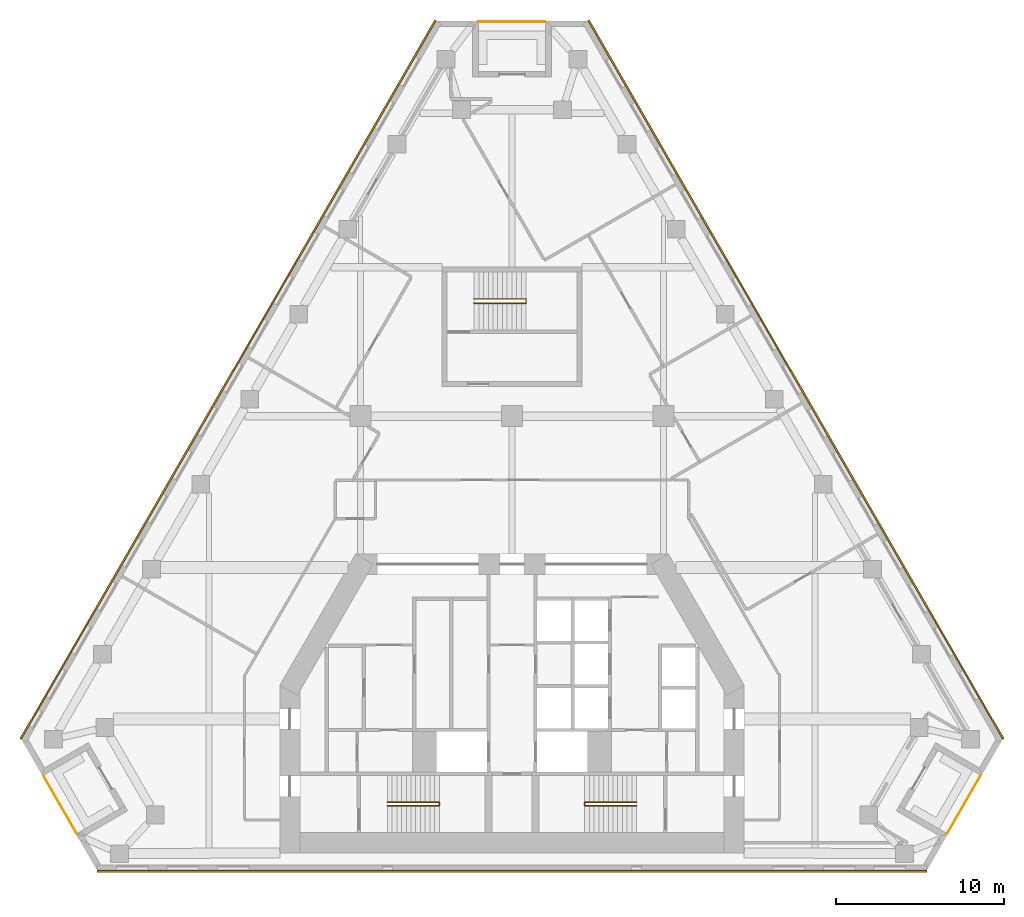
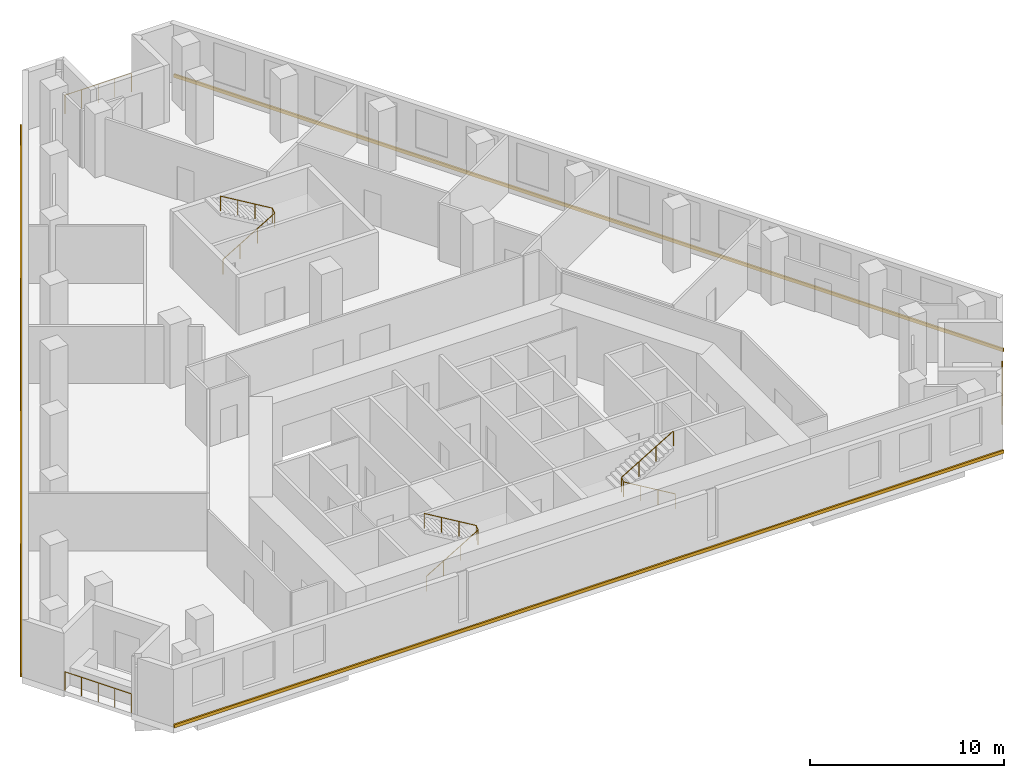
# One storey, part 9 of 9: 6 railings, 3 coverings.
"""IFC4 building model written with IfcOpenShell, lengths in metres."""

from ifc_helpers import new_model, si_unit, direction, frame, origin, origin_2d, place, context, subcontext, project, spatial, polyline, circle, outline, extrude, material, type_object, element, save


model = new_model("IFC4")

# Units and contexts
model_context = context("Model", 3, precision=1e-05, world=origin(), true_north=direction((0.0, 1.0)))
body_context = subcontext(model_context, "Body", "Model", "MODEL_VIEW")
ifc_project = project(units=[si_unit("LENGTHUNIT", "METRE"), si_unit("AREAUNIT", "SQUARE_METRE"), si_unit("VOLUMEUNIT", "CUBIC_METRE"), si_unit("PLANEANGLEUNIT", "RADIAN"), si_unit("MASSUNIT", "GRAM", prefix="KILO")], contexts=[model_context])

# Site, building, storey
site_placement = place(None, origin())
site = spatial("IfcSite", under=ifc_project, at=site_placement, CompositionType="ELEMENT")
building_placement = place(site_placement, origin())
building = spatial("IfcBuilding", under=site, at=building_placement, Name="Fogline Exchange Tower", CompositionType="ELEMENT")
storey_placement = place(building_placement, frame((0.0, 0.0, 146.89990234375)))
storey = spatial("IfcBuildingStorey", under=building, at=storey_placement, Name="L32", CompositionType="ELEMENT", Elevation=146.89990234375)

# Railings
ifc_material_1 = material(Name="Stainless steel 304", Category="steel")
railing_type_1 = type_object("IfcRailingType", Name="G1", PredefinedType="GUARDRAIL", material=ifc_material_1)
railing_1_placement = place(storey_placement, frame((-27.8447265625, 5.635986328125, 0.0)))
element("IfcRailing", 1, at=railing_1_placement, inside=storey, type_object=railing_type_1, Name="Balcony guard L32 SW", PredefinedType="GUARDRAIL", context=body_context, shape_type="SweptSolid", body=[
    extrude(circle(Radius=0.02392578125, at=origin_2d()), frame((0.0, 0.0, 1.17578125), z_axis=(0.500000102728, -0.866025344474, 0.0), x_axis=(0.866025344474, 0.500000102728, 0.0)), (0.0, 0.0, 1.0), 3.9580078125),
    extrude(circle(Radius=0.02099609375, at=origin_2d()), origin(), (0.0, 0.0, 1.0), 1.15185546875),
    extrude(circle(Radius=0.02099609375, at=origin_2d()), frame((0.49462890625, -0.85693359375, 0.0)), (0.0, 0.0, 1.0), 1.15185546875),
    extrude(circle(Radius=0.02099609375, at=origin_2d()), frame((0.989501953125, -1.7138671875, 0.0)), (0.0, 0.0, 1.0), 1.15185546875),
    extrude(circle(Radius=0.02099609375, at=origin_2d()), frame((1.484375, -2.57080078125, 0.0)), (0.0, 0.0, 1.0), 1.15185546875),
    extrude(circle(Radius=0.02099609375, at=origin_2d()), frame((1.97900390625, -3.427734375, 0.0)), (0.0, 0.0, 1.0), 1.15185546875),
])
railing_2_placement = place(storey_placement, frame((25.86572265625, 2.208251953125, 0.0)))
element("IfcRailing", 2, at=railing_2_placement, inside=storey, type_object=railing_type_1, Name="Balcony guard L32 SE", PredefinedType="GUARDRAIL", context=body_context, shape_type="SweptSolid", body=[
    extrude(circle(Radius=0.02392578125, at=origin_2d()), frame((0.0, 0.0, 1.17578125), z_axis=(0.500000102728, 0.866025344474, 0.0), x_axis=(-0.866025344474, 0.500000102728, 0.0)), (0.0, 0.0, 1.0), 3.9580078125),
    extrude(circle(Radius=0.02099609375, at=origin_2d()), origin(), (0.0, 0.0, 1.0), 1.15185546875),
    extrude(circle(Radius=0.02099609375, at=origin_2d()), frame((0.49462890625, 0.85693359375, 0.0)), (0.0, 0.0, 1.0), 1.15185546875),
    extrude(circle(Radius=0.02099609375, at=origin_2d()), frame((0.989501953125, 1.7138671875, 0.0)), (0.0, 0.0, 1.0), 1.15185546875),
    extrude(circle(Radius=0.02099609375, at=origin_2d()), frame((1.484375, 2.57080078125, 0.0)), (0.0, 0.0, 1.0), 1.15185546875),
    extrude(circle(Radius=0.02099609375, at=origin_2d()), frame((1.97900390625, 3.427734375, 0.0)), (0.0, 0.0, 1.0), 1.15185546875),
])
railing_3_placement = place(storey_placement, frame((1.97900390625, 50.436767578125, 0.0)))
element("IfcRailing", 3, at=railing_3_placement, inside=storey, type_object=railing_type_1, Name="Balcony guard L32 N", PredefinedType="GUARDRAIL", context=body_context, shape_type="SweptSolid", body=[
    extrude(circle(Radius=0.02392578125, at=origin_2d()), frame((0.0, 0.0, 1.17578125), z_axis=(-1.0, 0.0, 0.0), x_axis=(0.0, -1.0, 0.0)), (0.0, 0.0, 1.0), 3.9580078125),
    extrude(circle(Radius=0.02099609375, at=origin_2d()), origin(), (0.0, 0.0, 1.0), 1.15185546875),
    extrude(circle(Radius=0.02099609375, at=origin_2d()), frame((-0.989501953125, 0.0, 0.0)), (0.0, 0.0, 1.0), 1.15185546875),
    extrude(circle(Radius=0.02099609375, at=origin_2d()), frame((-1.97900390625, 0.0, 0.0)), (0.0, 0.0, 1.0), 1.15185546875),
    extrude(circle(Radius=0.02099609375, at=origin_2d()), frame((-2.968505859375, 0.0, 0.0)), (0.0, 0.0, 1.0), 1.15185546875),
    extrude(circle(Radius=0.02099609375, at=origin_2d()), frame((-3.9580078125, 0.0, 0.0)), (0.0, 0.0, 1.0), 1.15185546875),
])
ifc_material_2 = material(Name="Steel Q235B", Category="steel")
railing_type_2 = type_object("IfcRailingType", Name="RL-HR", PredefinedType="HANDRAIL", material=ifc_material_2)
railing_4_placement = place(storey_placement, frame((-7.39990234375, 3.85009765625, 0.166748046875)))
element("IfcRailing", 4, at=railing_4_placement, inside=storey, type_object=railing_type_2, Name="Handrail ST1", PredefinedType="HANDRAIL", context=body_context, shape_type="SweptSolid", body=[
    extrude(circle(Radius=0.02392578125, at=origin_2d()), frame((0.0, 0.0, 0.92578125), z_axis=(0.859290745958, 0.0, 0.51148745235), x_axis=(0.0, 1.0, 0.0)), (0.0, 0.0, 1.0), 3.584228515625),
    extrude(circle(Radius=0.02392578125, at=origin_2d()), frame((3.079833984375, 0.0, 2.75927734375), z_axis=(0.0, 0.767990643491, 0.640461061666), x_axis=(-1.0, 0.0, 0.0)), (0.0, 0.0, 1.0), 0.26025390625),
    extrude(circle(Radius=0.02392578125, at=origin_2d()), frame((3.079833984375, 0.199951171875, 2.92578125), z_axis=(-0.859290745958, 0.0, 0.51148745235), x_axis=(0.0, -1.0, 0.0)), (0.0, 0.0, 1.0), 3.584228515625),
    extrude(circle(Radius=0.02099609375, at=origin_2d()), origin(), (0.0, 0.0, 1.0), 0.90185546875),
    extrude(circle(Radius=0.02099609375, at=origin_2d()), frame((1.026611328125, 0.0, 0.611083984375)), (0.0, 0.0, 1.0), 0.90185546875),
    extrude(circle(Radius=0.02099609375, at=origin_2d()), frame((2.05322265625, 0.0, 1.22216796875)), (0.0, 0.0, 1.0), 0.90185546875),
    extrude(circle(Radius=0.02099609375, at=origin_2d()), frame((3.079833984375, 0.0, 1.833251953125)), (0.0, 0.0, 1.0), 0.90185546875),
    extrude(circle(Radius=0.02099609375, at=origin_2d()), frame((3.079833984375, 0.199951171875, 2.0)), (0.0, 0.0, 1.0), 0.90185546875),
    extrude(circle(Radius=0.02099609375, at=origin_2d()), frame((2.05322265625, 0.199951171875, 2.611083984375)), (0.0, 0.0, 1.0), 0.90185546875),
    extrude(circle(Radius=0.02099609375, at=origin_2d()), frame((1.026611328125, 0.199951171875, 3.22216796875)), (0.0, 0.0, 1.0), 0.90185546875),
    extrude(circle(Radius=0.02099609375, at=origin_2d()), frame((0.0, 0.199951171875, 3.833251953125)), (0.0, 0.0, 1.0), 0.90185546875),
])
railing_5_placement = place(storey_placement, frame((7.39990234375, 3.85009765625, 0.166748046875)))
element("IfcRailing", 5, at=railing_5_placement, inside=storey, type_object=railing_type_2, Name="Handrail ST2", PredefinedType="HANDRAIL", context=body_context, shape_type="SweptSolid", body=[
    extrude(circle(Radius=0.02392578125, at=origin_2d()), frame((0.0, 0.0, 0.92578125), z_axis=(-0.859290745958, 0.0, 0.51148745235), x_axis=(0.0, -1.0, 0.0)), (0.0, 0.0, 1.0), 3.584228515625),
    extrude(circle(Radius=0.02392578125, at=origin_2d()), frame((-3.079833984375, 0.0, 2.75927734375), z_axis=(0.0, 0.767990643491, 0.640461061666), x_axis=(-1.0, 0.0, 0.0)), (0.0, 0.0, 1.0), 0.26025390625),
    extrude(circle(Radius=0.02392578125, at=origin_2d()), frame((-3.079833984375, 0.199951171875, 2.92578125), z_axis=(0.859290745958, 0.0, 0.51148745235), x_axis=(0.0, 1.0, 0.0)), (0.0, 0.0, 1.0), 3.584228515625),
    extrude(circle(Radius=0.02099609375, at=origin_2d()), origin(), (0.0, 0.0, 1.0), 0.90185546875),
    extrude(circle(Radius=0.02099609375, at=origin_2d()), frame((-1.026611328125, 0.0, 0.611083984375)), (0.0, 0.0, 1.0), 0.90185546875),
    extrude(circle(Radius=0.02099609375, at=origin_2d()), frame((-2.05322265625, 0.0, 1.22216796875)), (0.0, 0.0, 1.0), 0.90185546875),
    extrude(circle(Radius=0.02099609375, at=origin_2d()), frame((-3.079833984375, 0.0, 1.833251953125)), (0.0, 0.0, 1.0), 0.90185546875),
    extrude(circle(Radius=0.02099609375, at=origin_2d()), frame((-3.079833984375, 0.199951171875, 2.0)), (0.0, 0.0, 1.0), 0.90185546875),
    extrude(circle(Radius=0.02099609375, at=origin_2d()), frame((-2.05322265625, 0.199951171875, 2.611083984375)), (0.0, 0.0, 1.0), 0.90185546875),
    extrude(circle(Radius=0.02099609375, at=origin_2d()), frame((-1.026611328125, 0.199951171875, 3.22216796875)), (0.0, 0.0, 1.0), 0.90185546875),
    extrude(circle(Radius=0.02099609375, at=origin_2d()), frame((0.0, 0.199951171875, 3.833251953125)), (0.0, 0.0, 1.0), 0.90185546875),
])
railing_6_placement = place(storey_placement, frame((-2.25, 33.70703125, 0.166748046875)))
element("IfcRailing", 6, at=railing_6_placement, inside=storey, type_object=railing_type_2, Name="Handrail ST3", PredefinedType="HANDRAIL", context=body_context, shape_type="SweptSolid", body=[
    extrude(circle(Radius=0.02392578125, at=origin_2d()), frame((0.0, 0.0, 0.92578125), z_axis=(0.859308565015, 0.0, 0.511457515432), x_axis=(0.0, 1.0, 0.0)), (0.0, 0.0, 1.0), 3.58447265625),
    extrude(circle(Radius=0.02392578125, at=origin_2d()), frame((3.080078125, 0.0, 2.75927734375), z_axis=(0.0, 0.831925284441, 0.554887665306), x_axis=(-1.0, 0.0, 0.0)), (0.0, 0.0, 1.0), 0.300537109375),
    extrude(circle(Radius=0.02392578125, at=origin_2d()), frame((3.080078125, 0.25, 2.92578125), z_axis=(-0.859308565015, 0.0, 0.511457515432), x_axis=(0.0, -1.0, 0.0)), (0.0, 0.0, 1.0), 3.58447265625),
    extrude(circle(Radius=0.02099609375, at=origin_2d()), origin(), (0.0, 0.0, 1.0), 0.90185546875),
    extrude(circle(Radius=0.02099609375, at=origin_2d()), frame((1.026611328125, 0.0, 0.611083984375)), (0.0, 0.0, 1.0), 0.90185546875),
    extrude(circle(Radius=0.02099609375, at=origin_2d()), frame((2.053466796875, 0.0, 1.22216796875)), (0.0, 0.0, 1.0), 0.90185546875),
    extrude(circle(Radius=0.02099609375, at=origin_2d()), frame((3.080078125, 0.0, 1.833251953125)), (0.0, 0.0, 1.0), 0.90185546875),
    extrude(circle(Radius=0.02099609375, at=origin_2d()), frame((3.080078125, 0.25, 2.0)), (0.0, 0.0, 1.0), 0.90185546875),
    extrude(circle(Radius=0.02099609375, at=origin_2d()), frame((2.053466796875, 0.25, 2.611083984375)), (0.0, 0.0, 1.0), 0.90185546875),
    extrude(circle(Radius=0.02099609375, at=origin_2d()), frame((1.026611328125, 0.25, 3.22216796875)), (0.0, 0.0, 1.0), 0.90185546875),
    extrude(circle(Radius=0.02099609375, at=origin_2d()), frame((0.0, 0.25, 3.833251953125)), (0.0, 0.0, 1.0), 0.90185546875),
])

# Coverings
ifc_material_3 = material(Name="Brick masonry", Category="masonry")
covering_type = type_object("IfcCoveringType", Name="SB1", PredefinedType="CLADDING", material=ifc_material_3)
covering_1_placement = place(storey_placement, origin())
element("IfcCovering", 7, at=covering_1_placement, inside=storey, type_object=covering_type, Name="Stringcourse band L32 S", PredefinedType="CLADDING", context=body_context, shape_type="SweptSolid", body=[
    extrude(outline(polyline([(-24.6484375, 0.0), (-24.6484375, -0.10009765625), (24.6484375, -0.10009765625), (24.6484375, 0.0), (-24.6484375, 0.0)])), origin(), (0.0, 0.0, 1.0), 0.2001953125),
])
covering_2_placement = place(storey_placement, origin())
element("IfcCovering", 8, at=covering_2_placement, inside=storey, type_object=covering_type, Name="Stringcourse band L32 E", PredefinedType="CLADDING", context=body_context, shape_type="SweptSolid", body=[
    extrude(outline(polyline([(29.1484375, 7.794189453125), (29.235107421875, 7.84423828125), (4.586669921875, 50.53662109375), (4.5, 50.48681640625), (29.1484375, 7.794189453125)])), origin(), (0.0, 0.0, 1.0), 0.2001953125),
])
covering_3_placement = place(storey_placement, origin())
element("IfcCovering", 9, at=covering_3_placement, inside=storey, type_object=covering_type, Name="Stringcourse band L32 W", PredefinedType="CLADDING", context=body_context, shape_type="SweptSolid", body=[
    extrude(outline(polyline([(-4.5, 50.48681640625), (-4.586669921875, 50.53662109375), (-29.235107421875, 7.84423828125), (-29.1484375, 7.794189453125), (-4.5, 50.48681640625)])), origin(), (0.0, 0.0, 1.0), 0.2001953125),
])

save(model, "model.ifc")
